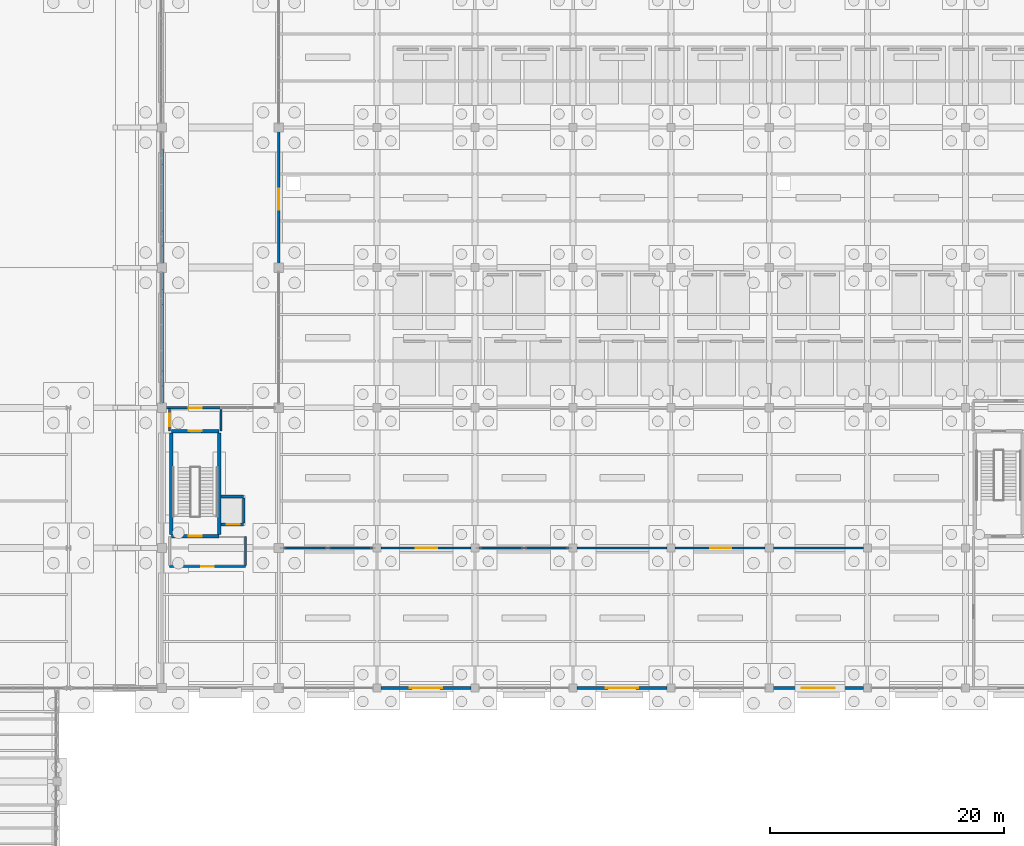
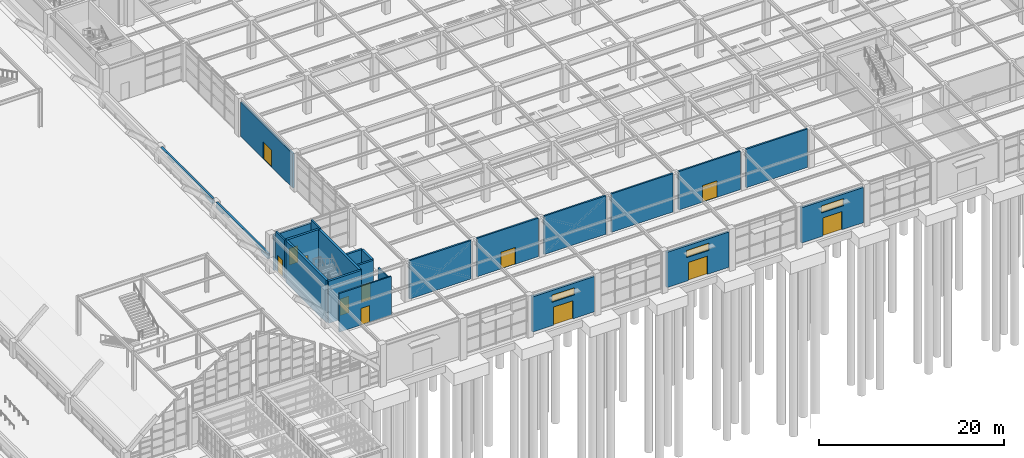
# One storey, part 101 of 129: 31 walls, 12 doors, 3 windows, 15 openings.
"""IFC4 building model written with IfcOpenShell, lengths in metres."""

from ifc_helpers import new_model, si_unit, direction, frame, frame_2d, origin, place, context, subcontext, project, spatial, rectangle, extrude, material, layer, layer_set, type_object, element, fill, save


model = new_model("IFC4")

# Units and contexts
model_context = context("Model", 3, precision=1e-05, world=origin(), true_north=direction((0.0, 1.0)))
body_context = subcontext(model_context, "Body", "Model", "MODEL_VIEW")
ifc_project = project(units=[si_unit("LENGTHUNIT", "METRE"), si_unit("AREAUNIT", "SQUARE_METRE"), si_unit("VOLUMEUNIT", "CUBIC_METRE"), si_unit("PLANEANGLEUNIT", "RADIAN"), si_unit("MASSUNIT", "GRAM", prefix="KILO")], contexts=[model_context])

# Site, building, storey
site_placement = place(None, origin())
site = spatial("IfcSite", under=ifc_project, at=site_placement, CompositionType="ELEMENT")
building_placement = place(site_placement, origin())
building = spatial("IfcBuilding", under=site, at=building_placement, Name="Sitalva Quay Ferry Terminal", CompositionType="ELEMENT")
storey_placement = place(building_placement, origin())
storey = spatial("IfcBuildingStorey", under=building, at=storey_placement, Name="L01", CompositionType="ELEMENT", Elevation=0.0)

# Walls
ifc_material_1 = material(Name="Concrete C40/50", Category="concrete")
ifc_layer_1 = layer(ifc_material_1, 0.215087890625)
ifc_layer_set_1 = layer_set([ifc_layer_1], Name="Concrete C40/50")
wall_type_1 = type_object("IfcWallType", Name="Wall_ArchHaunchIn_C40", PredefinedType="SOLIDWALL", material=ifc_layer_set_1)
for number, where, z_axis, x_axis, name in (
    (1, (74.0, 31.85009765625, 1.639892578125), (0.0, 0.0, 1.0), (0.0, 1.0, 0.0), "V1-E shallow-arch inner haunch S EW-L01-098"),
    (2, (74.0, 38.85009765625, 1.639892578125), (0.0, 0.0, 1.0), (0.0, 1.0, 0.0), "V1-E shallow-arch inner haunch N EW-L01-099"),
    (3, (74.0, 43.85009765625, 1.639892578125), (0.0, 0.0, 1.0), (0.0, 1.0, 0.0), "V1-E shallow-arch inner haunch S EW-L01-103"),
    (4, (74.0, 50.85009765625, 1.639892578125), (0.0, 0.0, 1.0), (0.0, 1.0, 0.0), "V1-E shallow-arch inner haunch N EW-L01-104"),
):
    element("IfcWall", number, at=place(storey_placement, frame(where, z_axis=z_axis, x_axis=x_axis)), inside=storey, type_object=wall_type_1, Name=name, PredefinedType="SOLIDWALL", context=body_context, shape_type="SweptSolid", body=[
        extrude(rectangle(XDim=1.2998046875, YDim=0.215087890625, at=frame_2d((0.64990234375, 0.0))), origin(), (0.0, 0.0, 1.0), 0.239990234375),
    ])
ifc_material_2 = material(Name="Concrete C40/50", Category="concrete")
ifc_layer_2 = layer(ifc_material_2, 0.235107421875)
ifc_layer_set_2 = layer_set([ifc_layer_2], Name="Concrete C40/50")
wall_type_2 = type_object("IfcWallType", Name="Wall_ArchHaunchOut_C40", PredefinedType="SOLIDWALL", material=ifc_layer_set_2)
for number, where, z_axis, x_axis, name in (
    (5, (74.0, 30.39990234375, 1.3798828125), (0.0, 0.0, 1.0), (0.0, 1.0, 0.0), "V1-E shallow-arch outer haunch S EW-L01-097"),
    (6, (74.0, 40.14990234375, 1.3798828125), (0.0, 0.0, 1.0), (0.0, 1.0, 0.0), "V1-E shallow-arch outer haunch N EW-L01-100"),
    (7, (74.0, 42.39990234375, 1.3798828125), (0.0, 0.0, 1.0), (0.0, 1.0, 0.0), "V1-E shallow-arch outer haunch S EW-L01-102"),
):
    element("IfcWall", number, at=place(storey_placement, frame(where, z_axis=z_axis, x_axis=x_axis)), inside=storey, type_object=wall_type_2, Name=name, PredefinedType="SOLIDWALL", context=body_context, shape_type="SweptSolid", body=[
        extrude(rectangle(XDim=1.4501953125, YDim=0.235107421875, at=frame_2d((0.72509765625, 0.0))), origin(), (0.0, 0.0, 1.0), 0.5),
    ])
ifc_material_3 = material(Name="Concrete C40/50", Category="concrete")
ifc_layer_3 = layer(ifc_material_3, 0.2451171875)
ifc_layer_set_3 = layer_set([ifc_layer_3], Name="Concrete C40/50")
wall_type_3 = type_object("IfcWallType", Name="Wall_ArchSpandrel_C40", PredefinedType="SOLIDWALL", material=ifc_layer_set_3)
for number, where, z_axis, x_axis, name in (
    (8, (74.0, 30.39990234375, 1.8798828125), (0.0, 0.0, 1.0), (0.0, 1.0, 0.0), "V1-E shallow-arch Concrete C40/50 spandrel fascia EW-L01-096"),
    (9, (74.0, 42.39990234375, 1.8798828125), (0.0, 0.0, 1.0), (0.0, 1.0, 0.0), "V1-E shallow-arch Concrete C40/50 spandrel fascia EW-L01-101"),
):
    element("IfcWall", number, at=place(storey_placement, frame(where, z_axis=z_axis, x_axis=x_axis)), inside=storey, type_object=wall_type_3, Name=name, PredefinedType="SOLIDWALL", context=body_context, shape_type="SweptSolid", body=[
        extrude(rectangle(XDim=11.2001953125, YDim=0.2451171875, at=frame_2d((5.60009765625, 0.0))), origin(), (0.0, 0.0, 1.0), 0.22021484375),
    ])

# Wall, opening, door
ifc_material_4 = material(Name="Concrete C40/50", Category="concrete")
ifc_layer_4 = layer(ifc_material_4, 0.280029296875)
ifc_layer_set_4 = layer_set([ifc_layer_4], Name="Concrete C40/50")
wall_type_4 = type_object("IfcWallType", Name="Wall_CoreShear_280", PredefinedType="SHEAR", material=ifc_layer_set_4)
wall_1_placement = place(storey_placement, frame((78.89990234375, 19.0, -0.449951171875), z_axis=(0.0, 0.0, 1.0), x_axis=(-1.0, 0.0, 0.0)))
wall_1 = element("IfcWall", 10, at=wall_1_placement, inside=storey, type_object=wall_type_4, Name="Core C6 L01 south shear wall", PredefinedType="SHEAR", context=body_context, shape_type="SweptSolid", body=[
    extrude(rectangle(XDim=4.099853515625, YDim=0.280029296875, at=frame_2d((2.0498046875, 0.0))), origin(), (0.0, 0.0, 1.0), 5.570068359375),
])
opening_1_placement = place(wall_1_placement, frame((1.5, 0.0, 0.449951171875)))
opening_1 = element("IfcOpeningElement", 11, at=opening_1_placement, cuts=wall_1, Name="Opening D-L01-021", PredefinedType="OPENING", context=body_context, shape_type="SweptSolid", body=[
    extrude(rectangle(XDim=1.10009765625, YDim=2.199951171875, at=frame_2d((0.550048828125, 1.10009765625))), frame((0.0, 0.14990234375, 0.0), z_axis=(0.0, -1.0, 0.0), x_axis=(1.0, 0.0, 0.0)), (0.0, 0.0, 1.0), 0.300048828125),
])
ifc_material_5 = material(Name="Galvanised Steel Fire Door", Category="steel")
door_type_1 = type_object("IfcDoorType", Name="Door_CoreExit_1100x2200", OperationType="SINGLE_SWING_LEFT", PredefinedType="DOOR", material=ifc_material_5)
door_1_placement = place(opening_1_placement, origin())
door_1 = element("IfcDoor", 12, at=door_1_placement, inside=storey, type_object=door_type_1, Name="DOOR-D-L01-021 Protected stair ST-06 door D-L01-021", OperationType="SINGLE_SWING_LEFT", OverallHeight=2.199951171875, OverallWidth=1.10009765625, PredefinedType="DOOR", context=body_context, shape_type="SweptSolid", body=[
    extrude(rectangle(XDim=1.10009765625, YDim=2.199951171875, at=frame_2d((0.550048828125, 1.10009765625))), frame((0.0, 0.02490234375, 0.0), z_axis=(0.0, -1.0, 0.0), x_axis=(1.0, 0.0, 0.0)), (0.0, 0.0, 1.0), 0.050048828125),
])
fill(opening_1, door_1)

wall_2_placement = place(storey_placement, frame((74.800048828125, 28.0, -0.449951171875), z_axis=(0.0, 0.0, 1.0), x_axis=(1.0, 0.0, 0.0)))
wall_2 = element("IfcWall", 13, at=wall_2_placement, inside=storey, type_object=wall_type_4, Name="Core C6 L01 north shear wall", PredefinedType="SHEAR", context=body_context, shape_type="SweptSolid", body=[
    extrude(rectangle(XDim=4.099853515625, YDim=0.280029296875, at=frame_2d((2.0498046875, 0.0))), origin(), (0.0, 0.0, 1.0), 5.570068359375),
])
opening_2_placement = place(wall_2_placement, frame((1.5, 0.0, 0.449951171875)))
opening_2 = element("IfcOpeningElement", 14, at=opening_2_placement, cuts=wall_2, Name="Opening D-L01-022", PredefinedType="OPENING", context=body_context, shape_type="SweptSolid", body=[
    extrude(rectangle(XDim=1.10009765625, YDim=2.199951171875, at=frame_2d((0.550048828125, 1.10009765625))), frame((0.0, 0.14990234375, 0.0), z_axis=(0.0, -1.0, 0.0), x_axis=(1.0, 0.0, 0.0)), (0.0, 0.0, 1.0), 0.300048828125),
])
door_2_placement = place(opening_2_placement, origin())
door_2 = element("IfcDoor", 15, at=door_2_placement, inside=storey, type_object=door_type_1, Name="DOOR-D-L01-022 Protected stair ST-06 exit discharge door D-L01-022", OperationType="SINGLE_SWING_RIGHT", OverallHeight=2.199951171875, OverallWidth=1.10009765625, PredefinedType="DOOR", context=body_context, shape_type="SweptSolid", body=[
    extrude(rectangle(XDim=1.10009765625, YDim=2.199951171875, at=frame_2d((0.550048828125, 1.10009765625))), frame((0.0, 0.02490234375, 0.0), z_axis=(0.0, -1.0, 0.0), x_axis=(1.0, 0.0, 0.0)), (0.0, 0.0, 1.0), 0.050048828125),
])
fill(opening_2, door_2)

# Walls
for number, where, z_axis, x_axis, name in (
    (16, (74.800048828125, 19.139892578125, -0.449951171875), (0.0, 0.0, 1.0), (0.0, 1.0, 0.0), "Core C6 L01 west shear wall"),
    (17, (78.89990234375, 19.139892578125, -0.449951171875), (0.0, 0.0, 1.0), (0.0, 1.0, 0.0), "Core C6 L01 east shear wall"),
):
    element("IfcWall", number, at=place(storey_placement, frame(where, z_axis=z_axis, x_axis=x_axis)), inside=storey, type_object=wall_type_4, Name=name, PredefinedType="SHEAR", context=body_context, shape_type="SweptSolid", body=[
        extrude(rectangle(XDim=8.72021484375, YDim=0.280029296875, at=frame_2d((4.360107421875, 0.0))), origin(), (0.0, 0.0, 1.0), 5.570068359375),
    ])

# Wall, opening, door
ifc_material_6 = material(Name="Insulated Precast Concrete C40/50", Category="concrete")
ifc_layer_5 = layer(ifc_material_6, 0.239990234375)
ifc_layer_set_5 = layer_set([ifc_layer_5], Name="Insulated Precast Concrete C40/50")
wall_type_5 = type_object("IfcWallType", Name="Wall_ExtClad_240", PredefinedType="ELEMENTEDWALL", material=ifc_layer_set_5)
wall_3_placement = place(storey_placement, frame((74.35009765625, 30.0, 0.0), z_axis=(0.0, 0.0, 1.0), x_axis=(1.0, 0.0, 0.0)))
wall_3 = element("IfcWall", 18, at=wall_3_placement, inside=storey, type_object=wall_type_5, Name="Core C6 courtyard exit portal EW-L01-119", PredefinedType="ELEMENTEDWALL", context=body_context, shape_type="SweptSolid", body=[
    extrude(rectangle(XDim=4.699951171875, YDim=0.239990234375, at=frame_2d((2.35009765625, 0.0))), origin(), (0.0, 0.0, 1.0), 4.657958984375),
])
opening_3_placement = place(wall_3_placement, frame((1.949951171875, 0.0, 0.0)))
opening_3 = element("IfcOpeningElement", 19, at=opening_3_placement, cuts=wall_3, Name="Opening ED-L01-014", PredefinedType="OPENING", context=body_context, shape_type="SweptSolid", body=[
    extrude(rectangle(XDim=1.10009765625, YDim=2.199951171875, at=frame_2d((0.550048828125, 1.10009765625))), frame((0.0, 0.1298828125, 0.0), z_axis=(0.0, -1.0, 0.0), x_axis=(1.0, 0.0, 0.0)), (0.0, 0.0, 1.0), 0.260009765625),
])
door_3_placement = place(opening_3_placement, origin())
door_3 = element("IfcDoor", 20, at=door_3_placement, inside=storey, type_object=door_type_1, Name="EDOOR-ED-L01-014 Exit stair ST-06 courtyard exit door ED-L01-014", OperationType="SINGLE_SWING_LEFT", OverallHeight=2.199951171875, OverallWidth=1.10009765625, PredefinedType="DOOR", context=body_context, shape_type="SweptSolid", body=[
    extrude(rectangle(XDim=1.10009765625, YDim=2.199951171875, at=frame_2d((0.550048828125, 1.10009765625))), frame((0.0, 0.02490234375, 0.0), z_axis=(0.0, -1.0, 0.0), x_axis=(1.0, 0.0, 0.0)), (0.0, 0.0, 1.0), 0.050048828125),
])
fill(opening_3, door_3)

wall_4_placement = place(storey_placement, frame((84.0, 42.35009765625, 0.0), z_axis=(0.0, 0.0, 1.0), x_axis=(0.0, 1.0, 0.0)))
wall_4 = element("IfcWall", 21, at=wall_4_placement, inside=storey, type_object=wall_type_5, Name="East monsoon court access wall EW-L01-121", PredefinedType="ELEMENTEDWALL", context=body_context, shape_type="SweptSolid", body=[
    extrude(rectangle(XDim=11.2998046875, YDim=0.239990234375, at=frame_2d((5.64990234375, 0.0))), origin(), (0.0, 0.0, 1.0), 4.533935546875),
])
opening_4_placement = place(wall_4_placement, frame((4.60009765625, 0.0, 0.0)))
opening_4 = element("IfcOpeningElement", 22, at=opening_4_placement, cuts=wall_4, Name="Opening ED-L01-016", PredefinedType="OPENING", context=body_context, shape_type="SweptSolid", body=[
    extrude(rectangle(XDim=1.800048828125, YDim=2.199951171875, at=frame_2d((0.89990234375, 1.10009765625))), frame((0.0, 0.1298828125, 0.0), z_axis=(0.0, -1.0, 0.0), x_axis=(1.0, 0.0, 0.0)), (0.0, 0.0, 1.0), 0.260009765625),
])
ifc_material_7 = material(Name="Stainless Steel 316L", Category="steel")
door_type_2 = type_object("IfcDoorType", Name="Door_QuayExit_1800x2200", OperationType="DOUBLE_DOOR_SINGLE_SWING", PredefinedType="DOOR", material=ifc_material_7)
door_4_placement = place(opening_4_placement, origin())
door_4 = element("IfcDoor", 23, at=door_4_placement, inside=storey, type_object=door_type_2, Name="EDOOR-ED-L01-016 East monsoon court exit door ED-L01-016", OperationType="DOUBLE_DOOR_SINGLE_SWING", OverallHeight=2.199951171875, OverallWidth=1.800048828125, PredefinedType="DOOR", context=body_context, shape_type="SweptSolid", body=[
    extrude(rectangle(XDim=1.800048828125, YDim=2.199951171875, at=frame_2d((0.89990234375, 1.10009765625))), frame((0.0, 0.02490234375, 0.0), z_axis=(0.0, -1.0, 0.0), x_axis=(1.0, 0.0, 0.0)), (0.0, 0.0, 1.0), 0.050048828125),
])
fill(opening_4, door_4)

# Wall, openings, door, window
ifc_material_8 = material(Name="Marine Concrete C40/50", Category="concrete")
ifc_layer_6 = layer(ifc_material_8, 0.280029296875)
ifc_layer_set_6 = layer_set([ifc_layer_6], Name="Marine Concrete C40/50")
wall_type_6 = type_object("IfcWallType", Name="Wall_ExtMarine_280", PredefinedType="SOLIDWALL", material=ifc_layer_set_6)
wall_5_placement = place(storey_placement, frame((100.465087890625, 6.0, 0.0), z_axis=(0.0, 0.0, 1.0), x_axis=(-1.0, 0.0, 0.0)))
wall_5 = element("IfcWall", 24, at=wall_5_placement, inside=storey, type_object=wall_type_6, Name="South-east quay concourse portal EW-L01-115", PredefinedType="SOLIDWALL", context=body_context, shape_type="SweptSolid", body=[
    extrude(rectangle(XDim=7.72998046875, YDim=0.280029296875, at=frame_2d((3.864990234375, 0.0))), origin(), (0.0, 0.0, 1.0), 4.657958984375),
])
opening_5_placement = place(wall_5_placement, frame((2.6650390625, 0.0, 0.0)))
opening_5 = element("IfcOpeningElement", 25, at=opening_5_placement, cuts=wall_5, Name="Opening ED-L01-010", PredefinedType="OPENING", context=body_context, shape_type="SweptSolid", body=[
    extrude(rectangle(XDim=2.39990234375, YDim=2.39990234375, at=frame_2d((1.199951171875, 1.199951171875))), frame((0.0, 0.14990234375, 0.0), z_axis=(0.0, -1.0, 0.0), x_axis=(1.0, 0.0, 0.0)), (0.0, 0.0, 1.0), 0.300048828125),
])
opening_6_placement = place(wall_5_placement, frame((2.465087890625, 0.0, 3.10009765625)))
opening_6 = element("IfcOpeningElement", 26, at=opening_6_placement, cuts=wall_5, Name="Opening WN-L01-002", PredefinedType="OPENING", context=body_context, shape_type="SweptSolid", body=[
    extrude(rectangle(XDim=2.800048828125, YDim=0.949951171875, at=frame_2d((1.39990234375, 0.47509765625))), frame((0.0, 0.14990234375, 0.0), z_axis=(0.0, -1.0, 0.0), x_axis=(1.0, 0.0, 0.0)), (0.0, 0.0, 1.0), 0.300048828125),
])
ifc_material_9 = material(Name="Anodised Aluminium & Toughened Glass", Category="aluminium")
door_type_3 = type_object("IfcDoorType", Name="Door_Entrance_2400x2400", OperationType="DOUBLE_DOOR_SINGLE_SWING", PredefinedType="DOOR", material=ifc_material_9)
door_5_placement = place(opening_5_placement, origin())
door_5 = element("IfcDoor", 27, at=door_5_placement, inside=storey, type_object=door_type_3, Name="EDOOR-ED-L01-010 South-east quay passenger concourse exit door ED-L01-010", OperationType="DOUBLE_DOOR_SINGLE_SWING", OverallHeight=2.39990234375, OverallWidth=2.39990234375, PredefinedType="DOOR", context=body_context, shape_type="SweptSolid", body=[
    extrude(rectangle(XDim=2.39990234375, YDim=2.39990234375, at=frame_2d((1.199951171875, 1.199951171875))), frame((0.0, 0.02490234375, 0.0), z_axis=(0.0, -1.0, 0.0), x_axis=(1.0, 0.0, 0.0)), (0.0, 0.0, 1.0), 0.050048828125),
])
fill(opening_5, door_5)
ifc_material_10 = material(Name="Anodised Aluminium & Low-E Glass", Category="aluminium")
window_type = type_object("IfcWindowType", Name="Win_Clerestory_2800x950", PartitioningType="SINGLE_PANEL", PredefinedType="WINDOW", material=ifc_material_10)
window_1_placement = place(opening_6_placement, origin())
window_1 = element("IfcWindow", 28, at=window_1_placement, inside=storey, type_object=window_type, Name="Embarkation transom window WN-L01-002", OverallHeight=0.949951171875, OverallWidth=2.800048828125, PartitioningType="SINGLE_PANEL", PredefinedType="WINDOW", context=body_context, shape_type="SweptSolid", body=[
    extrude(rectangle(XDim=2.800048828125, YDim=0.949951171875, at=frame_2d((1.39990234375, 0.47509765625))), frame((0.0, 0.030029296875, 0.0), z_axis=(0.0, -1.0, 0.0), x_axis=(1.0, 0.0, 0.0)), (0.0, 0.0, 1.0), 0.06005859375),
])
fill(opening_6, window_1)

wall_6_placement = place(storey_placement, frame((117.264892578125, 6.0, 0.0), z_axis=(0.0, 0.0, 1.0), x_axis=(-1.0, 0.0, 0.0)))
wall_6 = element("IfcWall", 29, at=wall_6_placement, inside=storey, type_object=wall_type_6, Name="South-east quay concourse portal EW-L01-116", PredefinedType="SOLIDWALL", context=body_context, shape_type="SweptSolid", body=[
    extrude(rectangle(XDim=7.72998046875, YDim=0.280029296875, at=frame_2d((3.864990234375, 0.0))), origin(), (0.0, 0.0, 1.0), 4.657958984375),
])
opening_7_placement = place(wall_6_placement, frame((2.6650390625, 0.0, 0.0)))
opening_7 = element("IfcOpeningElement", 30, at=opening_7_placement, cuts=wall_6, Name="Opening ED-L01-011", PredefinedType="OPENING", context=body_context, shape_type="SweptSolid", body=[
    extrude(rectangle(XDim=2.39990234375, YDim=2.39990234375, at=frame_2d((1.199951171875, 1.199951171875))), frame((0.0, 0.14990234375, 0.0), z_axis=(0.0, -1.0, 0.0), x_axis=(1.0, 0.0, 0.0)), (0.0, 0.0, 1.0), 0.300048828125),
])
opening_8_placement = place(wall_6_placement, frame((2.465087890625, 0.0, 3.10009765625)))
opening_8 = element("IfcOpeningElement", 31, at=opening_8_placement, cuts=wall_6, Name="Opening WN-L01-003", PredefinedType="OPENING", context=body_context, shape_type="SweptSolid", body=[
    extrude(rectangle(XDim=2.800048828125, YDim=0.949951171875, at=frame_2d((1.39990234375, 0.47509765625))), frame((0.0, 0.14990234375, 0.0), z_axis=(0.0, -1.0, 0.0), x_axis=(1.0, 0.0, 0.0)), (0.0, 0.0, 1.0), 0.300048828125),
])
door_6_placement = place(opening_7_placement, origin())
door_6 = element("IfcDoor", 32, at=door_6_placement, inside=storey, type_object=door_type_3, Name="EDOOR-ED-L01-011 South-east quay passenger concourse exit door ED-L01-011", OperationType="DOUBLE_DOOR_SINGLE_SWING", OverallHeight=2.39990234375, OverallWidth=2.39990234375, PredefinedType="DOOR", context=body_context, shape_type="SweptSolid", body=[
    extrude(rectangle(XDim=2.39990234375, YDim=2.39990234375, at=frame_2d((1.199951171875, 1.199951171875))), frame((0.0, 0.02490234375, 0.0), z_axis=(0.0, -1.0, 0.0), x_axis=(1.0, 0.0, 0.0)), (0.0, 0.0, 1.0), 0.050048828125),
])
fill(opening_7, door_6)
window_2_placement = place(opening_8_placement, origin())
window_2 = element("IfcWindow", 33, at=window_2_placement, inside=storey, type_object=window_type, Name="Embarkation transom window WN-L01-003", OverallHeight=0.949951171875, OverallWidth=2.800048828125, PartitioningType="SINGLE_PANEL", PredefinedType="WINDOW", context=body_context, shape_type="SweptSolid", body=[
    extrude(rectangle(XDim=2.800048828125, YDim=0.949951171875, at=frame_2d((1.39990234375, 0.47509765625))), frame((0.0, 0.030029296875, 0.0), z_axis=(0.0, -1.0, 0.0), x_axis=(1.0, 0.0, 0.0)), (0.0, 0.0, 1.0), 0.06005859375),
])
fill(opening_8, window_2)

wall_7_placement = place(storey_placement, frame((134.06494140625, 6.0, 0.0), z_axis=(0.0, 0.0, 1.0), x_axis=(-1.0, 0.0, 0.0)))
wall_7 = element("IfcWall", 34, at=wall_7_placement, inside=storey, type_object=wall_type_6, Name="South-east quay concourse portal EW-L01-117", PredefinedType="SOLIDWALL", context=body_context, shape_type="SweptSolid", body=[
    extrude(rectangle(XDim=7.72998046875, YDim=0.280029296875, at=frame_2d((3.864990234375, 0.0))), origin(), (0.0, 0.0, 1.0), 4.657958984375),
])
opening_9_placement = place(wall_7_placement, frame((2.6650390625, 0.0, 0.0)))
opening_9 = element("IfcOpeningElement", 35, at=opening_9_placement, cuts=wall_7, Name="Opening ED-L01-012", PredefinedType="OPENING", context=body_context, shape_type="SweptSolid", body=[
    extrude(rectangle(XDim=2.39990234375, YDim=2.39990234375, at=frame_2d((1.199951171875, 1.199951171875))), frame((0.0, 0.14990234375, 0.0), z_axis=(0.0, -1.0, 0.0), x_axis=(1.0, 0.0, 0.0)), (0.0, 0.0, 1.0), 0.300048828125),
])
opening_10_placement = place(wall_7_placement, frame((2.465087890625, 0.0, 3.10009765625)))
opening_10 = element("IfcOpeningElement", 36, at=opening_10_placement, cuts=wall_7, Name="Opening WN-L01-004", PredefinedType="OPENING", context=body_context, shape_type="SweptSolid", body=[
    extrude(rectangle(XDim=2.800048828125, YDim=0.949951171875, at=frame_2d((1.39990234375, 0.47509765625))), frame((0.0, 0.14990234375, 0.0), z_axis=(0.0, -1.0, 0.0), x_axis=(1.0, 0.0, 0.0)), (0.0, 0.0, 1.0), 0.300048828125),
])
door_7_placement = place(opening_9_placement, origin())
door_7 = element("IfcDoor", 37, at=door_7_placement, inside=storey, type_object=door_type_3, Name="EDOOR-ED-L01-012 South-east quay passenger concourse exit door ED-L01-012", OperationType="DOUBLE_DOOR_SINGLE_SWING", OverallHeight=2.39990234375, OverallWidth=2.39990234375, PredefinedType="DOOR", context=body_context, shape_type="SweptSolid", body=[
    extrude(rectangle(XDim=2.39990234375, YDim=2.39990234375, at=frame_2d((1.199951171875, 1.199951171875))), frame((0.0, 0.02490234375, 0.0), z_axis=(0.0, -1.0, 0.0), x_axis=(1.0, 0.0, 0.0)), (0.0, 0.0, 1.0), 0.050048828125),
])
fill(opening_9, door_7)
window_3_placement = place(opening_10_placement, origin())
window_3 = element("IfcWindow", 38, at=window_3_placement, inside=storey, type_object=window_type, Name="Embarkation transom window WN-L01-004", OverallHeight=0.949951171875, OverallWidth=2.800048828125, PartitioningType="SINGLE_PANEL", PredefinedType="WINDOW", context=body_context, shape_type="SweptSolid", body=[
    extrude(rectangle(XDim=2.800048828125, YDim=0.949951171875, at=frame_2d((1.39990234375, 0.47509765625))), frame((0.0, 0.030029296875, 0.0), z_axis=(0.0, -1.0, 0.0), x_axis=(1.0, 0.0, 0.0)), (0.0, 0.0, 1.0), 0.06005859375),
])
fill(opening_10, window_3)

# Wall
ifc_material_11 = material(Name="Concrete Blockwork C25/30", Category="masonry")
ifc_layer_7 = layer(ifc_material_11, 0.199951171875)
ifc_layer_set_7 = layer_set([ifc_layer_7], Name="Concrete Blockwork C25/30")
wall_type_7 = type_object("IfcWallType", Name="Wall_FireComp_200", PredefinedType="SOLIDWALL", material=ifc_layer_set_7)
wall_8_placement = place(storey_placement, frame((84.35009765625, 18.0, 0.0), z_axis=(0.0, 0.0, 1.0), x_axis=(1.0, 0.0, 0.0)))
element("IfcWall", 39, at=wall_8_placement, inside=storey, type_object=wall_type_7, Name="L01 concourse-to-marshalling fire wall IW-L01-0105", PredefinedType="SOLIDWALL", context=body_context, shape_type="SweptSolid", body=[
    extrude(rectangle(XDim=7.699951171875, YDim=0.199951171875, at=frame_2d((3.85009765625, 0.0))), origin(), (0.0, 0.0, 1.0), 5.080078125),
])

# Wall, opening, door
wall_9_placement = place(storey_placement, frame((92.75, 18.0, 0.0), z_axis=(0.0, 0.0, 1.0), x_axis=(1.0, 0.0, 0.0)))
wall_9 = element("IfcWall", 40, at=wall_9_placement, inside=storey, type_object=wall_type_7, Name="L01 concourse-to-marshalling fire wall IW-L01-0106", PredefinedType="SOLIDWALL", context=body_context, shape_type="SweptSolid", body=[
    extrude(rectangle(XDim=7.699951171875, YDim=0.199951171875, at=frame_2d((3.85009765625, 0.0))), origin(), (0.0, 0.0, 1.0), 5.080078125),
])
opening_11_placement = place(wall_9_placement, frame((3.0, 0.0, 0.0)))
opening_11 = element("IfcOpeningElement", 41, at=opening_11_placement, cuts=wall_9, Name="Opening ID-L01-036", PredefinedType="OPENING", context=body_context, shape_type="SweptSolid", body=[
    extrude(rectangle(XDim=1.800048828125, YDim=2.199951171875, at=frame_2d((0.89990234375, 1.10009765625))), frame((0.0, 0.10986328125, 0.0), z_axis=(0.0, -1.0, 0.0), x_axis=(1.0, 0.0, 0.0)), (0.0, 0.0, 1.0), 0.219970703125),
])
ifc_material_12 = material(Name="Glazed Steel Fire Door", Category="steel")
door_type_4 = type_object("IfcDoorType", Name="Door_FireCorridor_1800x2200", OperationType="DOUBLE_DOOR_SINGLE_SWING", PredefinedType="DOOR", material=ifc_material_12)
door_8_placement = place(opening_11_placement, origin())
door_8 = element("IfcDoor", 42, at=door_8_placement, inside=storey, type_object=door_type_4, Name="IDOOR-ID-L01-036 Foot-passenger marshalling vestibule door ID-L01-036", OperationType="DOUBLE_DOOR_SINGLE_SWING", OverallHeight=2.199951171875, OverallWidth=1.800048828125, PredefinedType="DOOR", context=body_context, shape_type="SweptSolid", body=[
    extrude(rectangle(XDim=1.800048828125, YDim=2.199951171875, at=frame_2d((0.89990234375, 1.10009765625))), frame((0.0, 0.02490234375, 0.0), z_axis=(0.0, -1.0, 0.0), x_axis=(1.0, 0.0, 0.0)), (0.0, 0.0, 1.0), 0.050048828125),
])
fill(opening_11, door_8)

# Walls
wall_10_placement = place(storey_placement, frame((101.14990234375, 18.0, 0.0), z_axis=(0.0, 0.0, 1.0), x_axis=(1.0, 0.0, 0.0)))
element("IfcWall", 43, at=wall_10_placement, inside=storey, type_object=wall_type_7, Name="L01 concourse-to-marshalling fire wall IW-L01-0107", PredefinedType="SOLIDWALL", context=body_context, shape_type="SweptSolid", body=[
    extrude(rectangle(XDim=7.7001953125, YDim=0.199951171875, at=frame_2d((3.85009765625, 0.0))), origin(), (0.0, 0.0, 1.0), 5.080078125),
])
wall_11_placement = place(storey_placement, frame((109.550048828125, 18.0, 0.0), z_axis=(0.0, 0.0, 1.0), x_axis=(1.0, 0.0, 0.0)))
element("IfcWall", 44, at=wall_11_placement, inside=storey, type_object=wall_type_7, Name="L01 concourse-to-marshalling fire wall IW-L01-0108", PredefinedType="SOLIDWALL", context=body_context, shape_type="SweptSolid", body=[
    extrude(rectangle(XDim=7.699951171875, YDim=0.199951171875, at=frame_2d((3.85009765625, 0.0))), origin(), (0.0, 0.0, 1.0), 5.080078125),
])

# Wall, opening, door
wall_12_placement = place(storey_placement, frame((117.949951171875, 18.0, 0.0), z_axis=(0.0, 0.0, 1.0), x_axis=(1.0, 0.0, 0.0)))
wall_12 = element("IfcWall", 45, at=wall_12_placement, inside=storey, type_object=wall_type_7, Name="L01 concourse-to-marshalling fire wall IW-L01-0109", PredefinedType="SOLIDWALL", context=body_context, shape_type="SweptSolid", body=[
    extrude(rectangle(XDim=7.699951171875, YDim=0.199951171875, at=frame_2d((3.85009765625, 0.0))), origin(), (0.0, 0.0, 1.0), 5.080078125),
])
opening_12_placement = place(wall_12_placement, frame((3.0, 0.0, 0.0)))
opening_12 = element("IfcOpeningElement", 46, at=opening_12_placement, cuts=wall_12, Name="Opening ID-L01-037", PredefinedType="OPENING", context=body_context, shape_type="SweptSolid", body=[
    extrude(rectangle(XDim=1.800048828125, YDim=2.199951171875, at=frame_2d((0.89990234375, 1.10009765625))), frame((0.0, 0.10986328125, 0.0), z_axis=(0.0, -1.0, 0.0), x_axis=(1.0, 0.0, 0.0)), (0.0, 0.0, 1.0), 0.219970703125),
])
door_9_placement = place(opening_12_placement, origin())
door_9 = element("IfcDoor", 47, at=door_9_placement, inside=storey, type_object=door_type_4, Name="IDOOR-ID-L01-037 Foot-passenger marshalling vestibule door ID-L01-037", OperationType="DOUBLE_DOOR_SINGLE_SWING", OverallHeight=2.199951171875, OverallWidth=1.800048828125, PredefinedType="DOOR", context=body_context, shape_type="SweptSolid", body=[
    extrude(rectangle(XDim=1.800048828125, YDim=2.199951171875, at=frame_2d((0.89990234375, 1.10009765625))), frame((0.0, 0.02490234375, 0.0), z_axis=(0.0, -1.0, 0.0), x_axis=(1.0, 0.0, 0.0)), (0.0, 0.0, 1.0), 0.050048828125),
])
fill(opening_12, door_9)

# Wall
wall_13_placement = place(storey_placement, frame((126.35009765625, 18.0, 0.0), z_axis=(0.0, 0.0, 1.0), x_axis=(1.0, 0.0, 0.0)))
element("IfcWall", 48, at=wall_13_placement, inside=storey, type_object=wall_type_7, Name="L01 concourse-to-marshalling fire wall IW-L01-0110", PredefinedType="SOLIDWALL", context=body_context, shape_type="SweptSolid", body=[
    extrude(rectangle(XDim=7.699951171875, YDim=0.199951171875, at=frame_2d((3.85009765625, 0.0))), origin(), (0.0, 0.0, 1.0), 5.080078125),
])

# Wall, opening, door
ifc_material_13 = material(Name="Fire-Rated Blockwork C25/30", Category="masonry")
ifc_layer_8 = layer(ifc_material_13, 0.179931640625)
ifc_layer_set_8 = layer_set([ifc_layer_8], Name="Fire-Rated Blockwork C25/30")
wall_type_8 = type_object("IfcWallType", Name="Wall_FireLobby_180", PredefinedType="SOLIDWALL", material=ifc_layer_set_8)
wall_14_placement = place(storey_placement, frame((74.64990234375, 16.39990234375, 0.0), z_axis=(0.0, 0.0, 1.0), x_axis=(1.0, 0.0, 0.0)))
wall_14 = element("IfcWall", 49, at=wall_14_placement, inside=storey, type_object=wall_type_8, Name="Firefighting & Lift Lobby C6 S wall IW-L01-0058", PredefinedType="SOLIDWALL", context=body_context, shape_type="SweptSolid", body=[
    extrude(rectangle(XDim=6.5, YDim=0.179931640625, at=frame_2d((3.25, 0.0))), origin(), (0.0, 0.0, 1.0), 5.10009765625),
])
opening_13_placement = place(wall_14_placement, frame((2.699951171875, 0.0, 0.0)))
opening_13 = element("IfcOpeningElement", 50, at=opening_13_placement, cuts=wall_14, Name="Opening ID-L01-020", PredefinedType="OPENING", context=body_context, shape_type="SweptSolid", body=[
    extrude(rectangle(XDim=1.10009765625, YDim=2.199951171875, at=frame_2d((0.550048828125, 1.10009765625))), frame((0.0, 0.099853515625, 0.0), z_axis=(0.0, -1.0, 0.0), x_axis=(1.0, 0.0, 0.0)), (0.0, 0.0, 1.0), 0.199951171875),
])
ifc_material_14 = material(Name="Steel Fire Door", Category="steel")
door_type_5 = type_object("IfcDoorType", Name="Door_FireLobby_1100x2200", OperationType="SINGLE_SWING_LEFT", PredefinedType="DOOR", material=ifc_material_14)
door_10_placement = place(opening_13_placement, origin())
door_10 = element("IfcDoor", 51, at=door_10_placement, inside=storey, type_object=door_type_5, Name="IDOOR-ID-L01-020 Firefighting & Lift Lobby C6 entrance ID-L01-020", OperationType="SINGLE_SWING_RIGHT", OverallHeight=2.199951171875, OverallWidth=1.10009765625, PredefinedType="DOOR", context=body_context, shape_type="SweptSolid", body=[
    extrude(rectangle(XDim=1.10009765625, YDim=2.199951171875, at=frame_2d((0.550048828125, 1.10009765625))), frame((0.0, 0.02490234375, 0.0), z_axis=(0.0, -1.0, 0.0), x_axis=(1.0, 0.0, 0.0)), (0.0, 0.0, 1.0), 0.050048828125),
])
fill(opening_13, door_10)

# Wall
wall_15_placement = place(storey_placement, frame((81.14990234375, 16.489990234375, 0.0), z_axis=(0.0, 0.0, 1.0), x_axis=(0.0, 1.0, 0.0)))
element("IfcWall", 52, at=wall_15_placement, inside=storey, type_object=wall_type_8, Name="Firefighting & Lift Lobby C6 E wall IW-L01-0060", PredefinedType="SOLIDWALL", context=body_context, shape_type="SweptSolid", body=[
    extrude(rectangle(XDim=2.510009765625, YDim=0.179931640625, at=frame_2d((1.2548828125, 0.0))), origin(), (0.0, 0.0, 1.0), 4.659912109375),
])

# Wall, opening, door
wall_16_placement = place(storey_placement, frame((74.64990234375, 28.0, 0.0), z_axis=(0.0, 0.0, 1.0), x_axis=(0.0, 1.0, 0.0)))
wall_16 = element("IfcWall", 53, at=wall_16_placement, inside=storey, type_object=wall_type_8, Name="Protected Exit Vestibule ST-06 W wall IW-L01-0117", PredefinedType="SOLIDWALL", context=body_context, shape_type="SweptSolid", body=[
    extrude(rectangle(XDim=1.919921875, YDim=0.179931640625, at=frame_2d((0.9599609375, 0.0))), origin(), (0.0, 0.0, 1.0), 5.10009765625),
])
opening_14_placement = place(wall_16_placement, frame((0.409912109375, 0.0, 0.0)))
opening_14 = element("IfcOpeningElement", 54, at=opening_14_placement, cuts=wall_16, Name="Opening ID-L01-042", PredefinedType="OPENING", context=body_context, shape_type="SweptSolid", body=[
    extrude(rectangle(XDim=1.10009765625, YDim=2.199951171875, at=frame_2d((0.550048828125, 1.10009765625))), frame((0.0, 0.099853515625, 0.0), z_axis=(0.0, -1.0, 0.0), x_axis=(1.0, 0.0, 0.0)), (0.0, 0.0, 1.0), 0.199951171875),
])
door_11_placement = place(opening_14_placement, origin())
door_11 = element("IfcDoor", 55, at=door_11_placement, inside=storey, type_object=door_type_5, Name="IDOOR-ID-L01-042 Protected Exit Vestibule ST-06 entrance ID-L01-042", OperationType="SINGLE_SWING_RIGHT", OverallHeight=2.199951171875, OverallWidth=1.10009765625, PredefinedType="DOOR", context=body_context, shape_type="SweptSolid", body=[
    extrude(rectangle(XDim=1.10009765625, YDim=2.199951171875, at=frame_2d((0.550048828125, 1.10009765625))), frame((0.0, 0.02490234375, 0.0), z_axis=(0.0, -1.0, 0.0), x_axis=(1.0, 0.0, 0.0)), (0.0, 0.0, 1.0), 0.050048828125),
])
fill(opening_14, door_11)

# Wall
wall_17_placement = place(storey_placement, frame((79.050048828125, 28.0, 0.0), z_axis=(0.0, 0.0, 1.0), x_axis=(0.0, 1.0, 0.0)))
element("IfcWall", 56, at=wall_17_placement, inside=storey, type_object=wall_type_8, Name="Protected Exit Vestibule ST-06 E wall IW-L01-0118", PredefinedType="SOLIDWALL", context=body_context, shape_type="SweptSolid", body=[
    extrude(rectangle(XDim=1.919921875, YDim=0.179931640625, at=frame_2d((0.9599609375, 0.0))), origin(), (0.0, 0.0, 1.0), 5.10009765625),
])

# Wall, opening, door
ifc_material_15 = material(Name="Concrete C35/45", Category="concrete")
ifc_layer_9 = layer(ifc_material_15, 0.25)
ifc_layer_set_9 = layer_set([ifc_layer_9], Name="Concrete C35/45")
wall_type_9 = type_object("IfcWallType", Name="Wall_LiftShaft_250", PredefinedType="SOLIDWALL", material=ifc_layer_set_9)
wall_18_placement = place(storey_placement, frame((79.044921875, 20.0, -1.60009765625), z_axis=(0.0, 0.0, 1.0), x_axis=(1.0, 0.0, 0.0)))
wall_18 = element("IfcWall", 57, at=wall_18_placement, inside=storey, type_object=wall_type_9, Name="Lift LF-06 L01 south shaft wall", PredefinedType="SOLIDWALL", context=body_context, shape_type="SweptSolid", body=[
    extrude(rectangle(XDim=1.955078125, YDim=0.25, at=frame_2d((0.9775390625, 0.0))), origin(), (0.0, 0.0, 1.0), 6.72021484375),
])
opening_15_placement = place(wall_18_placement, frame((0.5, 0.0, 1.60009765625)))
opening_15 = element("IfcOpeningElement", 58, at=opening_15_placement, cuts=wall_18, Name="Opening LD-LF-06-L01", PredefinedType="OPENING", context=body_context, shape_type="SweptSolid", body=[
    extrude(rectangle(XDim=1.10009765625, YDim=2.199951171875, at=frame_2d((0.550048828125, 1.10009765625))), frame((0.0, 0.135009765625, 0.0), z_axis=(0.0, -1.0, 0.0), x_axis=(1.0, 0.0, 0.0)), (0.0, 0.0, 1.0), 0.27001953125),
])
ifc_material_16 = material(Name="Stainless Steel 316L Fire Landing Door", Category="steel")
door_type_6 = type_object("IfcDoorType", Name="Door_LiftLanding_1100x2200", OperationType="SLIDING_TO_LEFT", PredefinedType="DOOR", material=ifc_material_16)
door_12_placement = place(opening_15_placement, origin())
door_12 = element("IfcDoor", 59, at=door_12_placement, inside=storey, type_object=door_type_6, Name="DOOR-LD-LF-06-L01 Lift LF-06 sliding landing door LD-LF-06-L01", OperationType="SLIDING_TO_LEFT", OverallHeight=2.199951171875, OverallWidth=1.10009765625, PredefinedType="DOOR", context=body_context, shape_type="SweptSolid", body=[
    extrude(rectangle(XDim=1.10009765625, YDim=2.199951171875, at=frame_2d((0.550048828125, 1.10009765625))), frame((0.0, 0.02490234375, 0.0), z_axis=(0.0, -1.0, 0.0), x_axis=(1.0, 0.0, 0.0)), (0.0, 0.0, 1.0), 0.050048828125),
])
fill(opening_15, door_12)

# Walls
wall_19_placement = place(storey_placement, frame((79.044921875, 22.39990234375, -1.60009765625), z_axis=(0.0, 0.0, 1.0), x_axis=(1.0, 0.0, 0.0)))
element("IfcWall", 60, at=wall_19_placement, inside=storey, type_object=wall_type_9, Name="Lift LF-06 L01 north shaft wall", PredefinedType="SOLIDWALL", context=body_context, shape_type="SweptSolid", body=[
    extrude(rectangle(XDim=1.955078125, YDim=0.25, at=frame_2d((0.9775390625, 0.0))), origin(), (0.0, 0.0, 1.0), 6.72021484375),
])
wall_20_placement = place(storey_placement, frame((81.0, 20.125, -1.60009765625), z_axis=(0.0, 0.0, 1.0), x_axis=(0.0, 1.0, 0.0)))
element("IfcWall", 61, at=wall_20_placement, inside=storey, type_object=wall_type_9, Name="Lift LF-06 L01 east shaft wall", PredefinedType="SOLIDWALL", context=body_context, shape_type="SweptSolid", body=[
    extrude(rectangle(XDim=2.14990234375, YDim=0.25, at=frame_2d((1.074951171875, 0.0))), origin(), (0.0, 0.0, 1.0), 6.72021484375),
])

save(model, "model.ifc")
